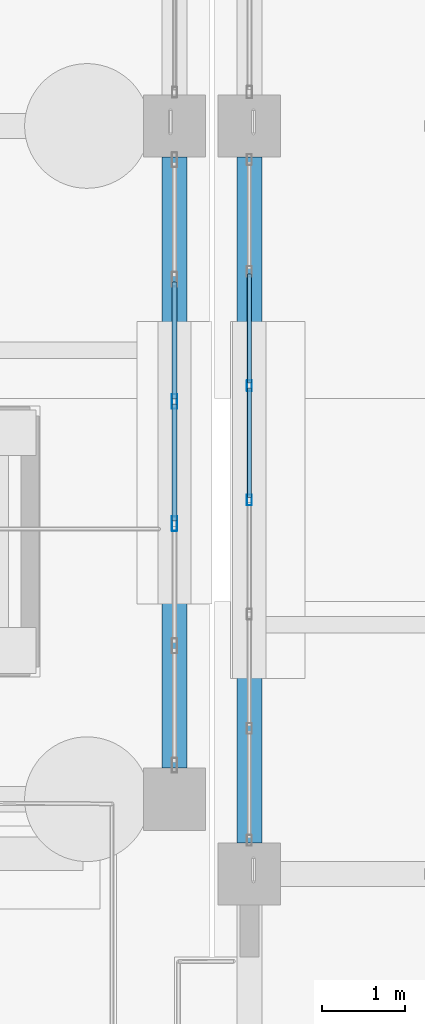
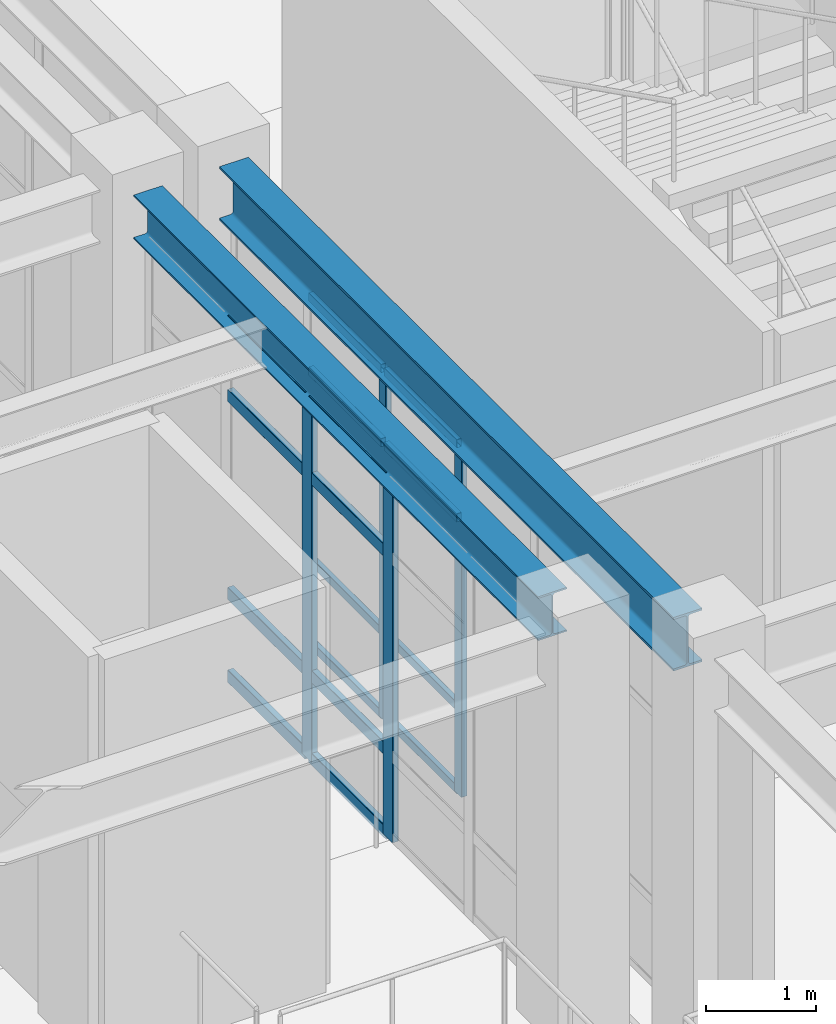
# One storey, part 67 of 139: 20 members, 2 beams, 2 elements without a shape of their own.
"""IFC4 building model written with IfcOpenShell, lengths in metres."""

from ifc_helpers import new_model, si_unit, direction, frame, origin, origin_2d, place, context, subcontext, project, spatial, hollow_rectangle, i_section, extrude, material, material_profile, profile_set, type_object, element, aggregate, save


model = new_model("IFC4")

# Units and contexts
model_context = context("Model", 3, precision=1e-05, world=origin(), true_north=direction((0.0, 1.0)))
body_context = subcontext(model_context, "Body", "Model", "MODEL_VIEW")
ifc_project = project(units=[si_unit("LENGTHUNIT", "METRE"), si_unit("AREAUNIT", "SQUARE_METRE"), si_unit("VOLUMEUNIT", "CUBIC_METRE"), si_unit("PLANEANGLEUNIT", "RADIAN"), si_unit("MASSUNIT", "GRAM", prefix="KILO")], contexts=[model_context])

# Site, building, storey
site_placement = place(None, origin())
site = spatial("IfcSite", under=ifc_project, at=site_placement, CompositionType="ELEMENT")
building_placement = place(site_placement, origin())
building = spatial("IfcBuilding", under=site, at=building_placement, Name="Canglan Escarpment Cableway Terminal", CompositionType="ELEMENT")
storey_placement = place(building_placement, frame((0.0, 0.0, 14.39990234375)))
storey = spatial("IfcBuildingStorey", under=building, at=storey_placement, Name="L03", CompositionType="ELEMENT", Elevation=14.39990234375)

# Beams
ifc_material_1 = material(Name="Steel Q355B", Category="steel")
ifc_material_profile_1 = material_profile(ifc_material_1, i_section(OverallWidth=0.300048828125, OverallDepth=0.488037109375, WebThickness=0.010986328125, FlangeThickness=0.01806640625, FilletRadius=0.02587890625, at=origin_2d()), Name="HM 488x300x11x18")
ifc_profile_set_1 = profile_set([ifc_material_profile_1], Name="Steel Q355B")
beam_type_1 = type_object("IfcBeamType", Name="BM-HM488", PredefinedType="BEAM", material=ifc_profile_set_1)
beam_1_placement = place(storey_placement, frame((136.699951171875, 89.27490234375, 4.256103515625), z_axis=(0.0, 1.0, 0.0), x_axis=(-1.0, 0.0, 0.0)))
element("IfcBeam", 1, at=beam_1_placement, inside=storey, type_object=beam_type_1, Name="Primary transverse girder B-09", PredefinedType="BEAM", context=body_context, shape_type="SweptSolid", body=[
    extrude(i_section(OverallWidth=0.300048828125, OverallDepth=0.488037109375, WebThickness=0.010986328125, FlangeThickness=0.01806640625, FilletRadius=0.02587890625, at=origin_2d()), origin(), (0.0, 0.0, 1.0), 7.35009765625),
])
ifc_material_2 = material(Name="Steel Q355C", Category="steel")
ifc_material_profile_2 = material_profile(ifc_material_2, i_section(OverallWidth=0.302001953125, OverallDepth=0.593994140625, WebThickness=0.013916015625, FlangeThickness=0.02294921875, FilletRadius=0.028076171875, at=origin_2d()), Name="HM 594x302x14x23")
ifc_profile_set_2 = profile_set([ifc_material_profile_2], Name="Steel Q355C")
beam_type_2 = type_object("IfcBeamType", Name="BM-HM594", PredefinedType="BEAM", material=ifc_profile_set_2)
beam_2_placement = place(storey_placement, frame((137.60009765625, 88.375, 4.203125), z_axis=(0.0, 1.0, 0.0), x_axis=(-1.0, 0.0, 0.0)))
element("IfcBeam", 2, at=beam_2_placement, inside=storey, type_object=beam_type_2, Name="Primary transverse girder B-07", PredefinedType="BEAM", context=body_context, shape_type="SweptSolid", body=[
    extrude(i_section(OverallWidth=0.302001953125, OverallDepth=0.593994140625, WebThickness=0.013916015625, FlangeThickness=0.02294921875, FilletRadius=0.028076171875, at=origin_2d()), origin(), (0.0, 0.0, 1.0), 8.25),
])

# Curtain wall, members
ifc_material_3 = material(Name="Anodized bronze aluminium and Low-E double glazing", Category="aluminium")
curtain_wall_type_1 = type_object("IfcCurtainWallType", Name="CW-BAY-8250x3900", PredefinedType="NOTDEFINED", material=ifc_material_3)
curtain_wall_1_placement = place(storey_placement, origin())
curtain_wall_1 = element("IfcCurtainWall", 3, at=curtain_wall_1_placement, inside=storey, type_object=curtain_wall_type_1, Name="Classical bay-between-piers glazed curtain wall CW-62", PredefinedType="NOTDEFINED")
ifc_material_4 = material(Name="Thermally broken anodized aluminium 6063-T6", Category="aluminium")
ifc_material_profile_3 = material_profile(ifc_material_4, hollow_rectangle(XDim=0.06005859375, YDim=0.1298828125, WallThickness=0.0029296875, InnerFilletRadius=0.0029296875, OuterFilletRadius=0.006103515625, at=origin_2d()), Name="ALU-MULL 60x130x3")
ifc_profile_set_3 = profile_set([ifc_material_profile_3], Name="Thermally broken anodized aluminium 6063-T6")
member_type_1 = type_object("IfcMemberType", Name="CWM-01", PredefinedType="MULLION", material=ifc_profile_set_3)
member_1_placement = place(storey_placement, frame((137.60009765625, 93.875, 0.0), z_axis=(0.0, 0.0, 1.0), x_axis=(1.0, 0.0, 0.0)))
member_1 = element("IfcMember", 4, at=member_1_placement, type_object=member_type_1, Name="CW-62 mullion 3", PredefinedType="MULLION", context=body_context, shape_type="SweptSolid", body=[
    extrude(hollow_rectangle(XDim=0.06005859375, YDim=0.1298828125, WallThickness=0.0029296875, InnerFilletRadius=0.0029296875, OuterFilletRadius=0.006103515625, at=origin_2d()), origin(), (0.0, 0.0, 1.0), 3.89111328125),
])
member_2_placement = place(storey_placement, frame((137.60009765625, 92.5, 0.0), z_axis=(0.0, 0.0, 1.0), x_axis=(1.0, 0.0, 0.0)))
member_2 = element("IfcMember", 5, at=member_2_placement, type_object=member_type_1, Name="CW-62 mullion 4", PredefinedType="MULLION", context=body_context, shape_type="SweptSolid", body=[
    extrude(hollow_rectangle(XDim=0.06005859375, YDim=0.1298828125, WallThickness=0.0029296875, InnerFilletRadius=0.0029296875, OuterFilletRadius=0.006103515625, at=origin_2d()), origin(), (0.0, 0.0, 1.0), 3.89111328125),
])

curtain_wall_type_2 = type_object("IfcCurtainWallType", Name="CW-BAY-7350x4000", PredefinedType="NOTDEFINED", material=ifc_material_3)
curtain_wall_2_placement = place(storey_placement, origin())
curtain_wall_2 = element("IfcCurtainWall", 6, at=curtain_wall_2_placement, inside=storey, type_object=curtain_wall_type_2, Name="Classical bay-between-piers glazed curtain wall CW-47", PredefinedType="NOTDEFINED")
ifc_material_profile_4 = material_profile(ifc_material_4, hollow_rectangle(XDim=0.06494140625, YDim=0.179931640625, WallThickness=0.00390625, InnerFilletRadius=0.00390625, OuterFilletRadius=0.008056640625, at=origin_2d()), Name="ALU-MULL 65x180x4")
ifc_profile_set_4 = profile_set([ifc_material_profile_4], Name="Thermally broken anodized aluminium 6063-T6")
member_type_2 = type_object("IfcMemberType", Name="CWM-03", PredefinedType="MULLION", material=ifc_profile_set_4)
member_3_placement = place(storey_placement, frame((136.699951171875, 92.215087890625, 0.0), z_axis=(0.0, 0.0, 1.0), x_axis=(-1.0, 0.0, 0.0)))
member_3 = element("IfcMember", 7, at=member_3_placement, type_object=member_type_2, Name="CW-47 mullion 3", PredefinedType="MULLION", context=body_context, shape_type="SweptSolid", body=[
    extrude(hollow_rectangle(XDim=0.06494140625, YDim=0.179931640625, WallThickness=0.00390625, InnerFilletRadius=0.00390625, OuterFilletRadius=0.008056640625, at=origin_2d()), origin(), (0.0, 0.0, 1.0), 3.9970703125),
])
member_4_placement = place(storey_placement, frame((136.699951171875, 93.68505859375, 0.0), z_axis=(0.0, 0.0, 1.0), x_axis=(-1.0, 0.0, 0.0)))
member_4 = element("IfcMember", 8, at=member_4_placement, type_object=member_type_2, Name="CW-47 mullion 4", PredefinedType="MULLION", context=body_context, shape_type="SweptSolid", body=[
    extrude(hollow_rectangle(XDim=0.06494140625, YDim=0.179931640625, WallThickness=0.00390625, InnerFilletRadius=0.00390625, OuterFilletRadius=0.008056640625, at=origin_2d()), origin(), (0.0, 0.0, 1.0), 3.9970703125),
])

# Member
ifc_material_profile_5 = material_profile(ifc_material_4, hollow_rectangle(XDim=0.054931640625, YDim=0.094970703125, WallThickness=0.0029296875, InnerFilletRadius=0.0029296875, OuterFilletRadius=0.006103515625, at=origin_2d()), Name="ALU-TRAN 55x95x3")
ifc_profile_set_5 = profile_set([ifc_material_profile_5], Name="Thermally broken anodized aluminium 6063-T6")
member_type_3 = type_object("IfcMemberType", Name="CWT-01", PredefinedType="USERDEFINED", material=ifc_profile_set_5)
member_5_placement = place(storey_placement, frame((137.60009765625, 95.219970703125, 0.027587890625), z_axis=(0.0, -1.0, 0.0), x_axis=(1.0, 0.0, 0.0)))
member_5 = element("IfcMember", 9, at=member_5_placement, type_object=member_type_3, Name="CW-62 transom 2.1", ObjectType="TRANSOM", PredefinedType="USERDEFINED", context=body_context, shape_type="SweptSolid", body=[
    extrude(hollow_rectangle(XDim=0.054931640625, YDim=0.094970703125, WallThickness=0.0029296875, InnerFilletRadius=0.0029296875, OuterFilletRadius=0.006103515625, at=origin_2d()), origin(), (0.0, 0.0, 1.0), 1.31494140625),
])

member_6_placement = place(storey_placement, frame((137.60009765625, 95.219970703125, 0.9501953125), z_axis=(0.0, -1.0, 0.0), x_axis=(1.0, 0.0, 0.0)))
member_6 = element("IfcMember", 10, at=member_6_placement, type_object=member_type_3, Name="CW-62 transom 2.2", ObjectType="TRANSOM", PredefinedType="USERDEFINED", context=body_context, shape_type="SweptSolid", body=[
    extrude(hollow_rectangle(XDim=0.054931640625, YDim=0.094970703125, WallThickness=0.0029296875, InnerFilletRadius=0.0029296875, OuterFilletRadius=0.006103515625, at=origin_2d()), origin(), (0.0, 0.0, 1.0), 1.31494140625),
])

member_7_placement = place(storey_placement, frame((137.60009765625, 95.219970703125, 3.041015625), z_axis=(0.0, -1.0, 0.0), x_axis=(1.0, 0.0, 0.0)))
member_7 = element("IfcMember", 11, at=member_7_placement, type_object=member_type_3, Name="CW-62 transom 2.3", ObjectType="TRANSOM", PredefinedType="USERDEFINED", context=body_context, shape_type="SweptSolid", body=[
    extrude(hollow_rectangle(XDim=0.054931640625, YDim=0.094970703125, WallThickness=0.0029296875, InnerFilletRadius=0.0029296875, OuterFilletRadius=0.006103515625, at=origin_2d()), origin(), (0.0, 0.0, 1.0), 1.31494140625),
])

member_8_placement = place(storey_placement, frame((137.60009765625, 95.219970703125, 3.863525390625), z_axis=(0.0, -1.0, 0.0), x_axis=(1.0, 0.0, 0.0)))
member_8 = element("IfcMember", 12, at=member_8_placement, type_object=member_type_3, Name="CW-62 transom 2.4", ObjectType="TRANSOM", PredefinedType="USERDEFINED", context=body_context, shape_type="SweptSolid", body=[
    extrude(hollow_rectangle(XDim=0.054931640625, YDim=0.094970703125, WallThickness=0.0029296875, InnerFilletRadius=0.0029296875, OuterFilletRadius=0.006103515625, at=origin_2d()), origin(), (0.0, 0.0, 1.0), 1.31494140625),
])

member_9_placement = place(storey_placement, frame((137.60009765625, 93.844970703125, 0.027587890625), z_axis=(0.0, -1.0, 0.0), x_axis=(1.0, 0.0, 0.0)))
member_9 = element("IfcMember", 13, at=member_9_placement, type_object=member_type_3, Name="CW-62 transom 3.1", ObjectType="TRANSOM", PredefinedType="USERDEFINED", context=body_context, shape_type="SweptSolid", body=[
    extrude(hollow_rectangle(XDim=0.054931640625, YDim=0.094970703125, WallThickness=0.0029296875, InnerFilletRadius=0.0029296875, OuterFilletRadius=0.006103515625, at=origin_2d()), origin(), (0.0, 0.0, 1.0), 1.31494140625),
])

member_10_placement = place(storey_placement, frame((137.60009765625, 93.844970703125, 0.9501953125), z_axis=(0.0, -1.0, 0.0), x_axis=(1.0, 0.0, 0.0)))
member_10 = element("IfcMember", 14, at=member_10_placement, type_object=member_type_3, Name="CW-62 transom 3.2", ObjectType="TRANSOM", PredefinedType="USERDEFINED", context=body_context, shape_type="SweptSolid", body=[
    extrude(hollow_rectangle(XDim=0.054931640625, YDim=0.094970703125, WallThickness=0.0029296875, InnerFilletRadius=0.0029296875, OuterFilletRadius=0.006103515625, at=origin_2d()), origin(), (0.0, 0.0, 1.0), 1.31494140625),
])

member_11_placement = place(storey_placement, frame((137.60009765625, 93.844970703125, 3.041015625), z_axis=(0.0, -1.0, 0.0), x_axis=(1.0, 0.0, 0.0)))
member_11 = element("IfcMember", 15, at=member_11_placement, type_object=member_type_3, Name="CW-62 transom 3.3", ObjectType="TRANSOM", PredefinedType="USERDEFINED", context=body_context, shape_type="SweptSolid", body=[
    extrude(hollow_rectangle(XDim=0.054931640625, YDim=0.094970703125, WallThickness=0.0029296875, InnerFilletRadius=0.0029296875, OuterFilletRadius=0.006103515625, at=origin_2d()), origin(), (0.0, 0.0, 1.0), 1.31494140625),
])

member_12_placement = place(storey_placement, frame((137.60009765625, 93.844970703125, 3.863525390625), z_axis=(0.0, -1.0, 0.0), x_axis=(1.0, 0.0, 0.0)))
member_12 = element("IfcMember", 16, at=member_12_placement, type_object=member_type_3, Name="CW-62 transom 3.4", ObjectType="TRANSOM", PredefinedType="USERDEFINED", context=body_context, shape_type="SweptSolid", body=[
    extrude(hollow_rectangle(XDim=0.054931640625, YDim=0.094970703125, WallThickness=0.0029296875, InnerFilletRadius=0.0029296875, OuterFilletRadius=0.006103515625, at=origin_2d()), origin(), (0.0, 0.0, 1.0), 1.31494140625),
])

aggregate(curtain_wall_1, [member_1, member_2, member_5, member_6, member_7, member_8, member_9, member_10, member_11, member_12])

ifc_material_profile_6 = material_profile(ifc_material_4, hollow_rectangle(XDim=0.06494140625, YDim=0.139892578125, WallThickness=0.00341796875, InnerFilletRadius=0.00341796875, OuterFilletRadius=0.007080078125, at=origin_2d()), Name="ALU-TRAN 65x140x3.5")
ifc_profile_set_6 = profile_set([ifc_material_profile_6], Name="Thermally broken anodized aluminium 6063-T6")
member_type_4 = type_object("IfcMemberType", Name="CWT-03", PredefinedType="USERDEFINED", material=ifc_profile_set_6)
member_13_placement = place(storey_placement, frame((136.699951171875, 92.24755859375, 0.03271484375), z_axis=(0.0, 1.0, 0.0), x_axis=(-1.0, 0.0, 0.0)))
member_13 = element("IfcMember", 17, at=member_13_placement, type_object=member_type_4, Name="CW-47 transom 3.1", ObjectType="TRANSOM", PredefinedType="USERDEFINED", context=body_context, shape_type="SweptSolid", body=[
    extrude(hollow_rectangle(XDim=0.06494140625, YDim=0.139892578125, WallThickness=0.00341796875, InnerFilletRadius=0.00341796875, OuterFilletRadius=0.007080078125, at=origin_2d()), origin(), (0.0, 0.0, 1.0), 1.405029296875),
])

member_14_placement = place(storey_placement, frame((136.699951171875, 92.24755859375, 0.9501953125), z_axis=(0.0, 1.0, 0.0), x_axis=(-1.0, 0.0, 0.0)))
member_14 = element("IfcMember", 18, at=member_14_placement, type_object=member_type_4, Name="CW-47 transom 3.2", ObjectType="TRANSOM", PredefinedType="USERDEFINED", context=body_context, shape_type="SweptSolid", body=[
    extrude(hollow_rectangle(XDim=0.06494140625, YDim=0.139892578125, WallThickness=0.00341796875, InnerFilletRadius=0.00341796875, OuterFilletRadius=0.007080078125, at=origin_2d()), origin(), (0.0, 0.0, 1.0), 1.405029296875),
])

member_15_placement = place(storey_placement, frame((136.699951171875, 92.24755859375, 3.147216796875), z_axis=(0.0, 1.0, 0.0), x_axis=(-1.0, 0.0, 0.0)))
member_15 = element("IfcMember", 19, at=member_15_placement, type_object=member_type_4, Name="CW-47 transom 3.3", ObjectType="TRANSOM", PredefinedType="USERDEFINED", context=body_context, shape_type="SweptSolid", body=[
    extrude(hollow_rectangle(XDim=0.06494140625, YDim=0.139892578125, WallThickness=0.00341796875, InnerFilletRadius=0.00341796875, OuterFilletRadius=0.007080078125, at=origin_2d()), origin(), (0.0, 0.0, 1.0), 1.405029296875),
])

member_16_placement = place(storey_placement, frame((136.699951171875, 92.24755859375, 3.964599609375), z_axis=(0.0, 1.0, 0.0), x_axis=(-1.0, 0.0, 0.0)))
member_16 = element("IfcMember", 20, at=member_16_placement, type_object=member_type_4, Name="CW-47 transom 3.4", ObjectType="TRANSOM", PredefinedType="USERDEFINED", context=body_context, shape_type="SweptSolid", body=[
    extrude(hollow_rectangle(XDim=0.06494140625, YDim=0.139892578125, WallThickness=0.00341796875, InnerFilletRadius=0.00341796875, OuterFilletRadius=0.007080078125, at=origin_2d()), origin(), (0.0, 0.0, 1.0), 1.405029296875),
])

member_17_placement = place(storey_placement, frame((136.699951171875, 93.717529296875, 0.03271484375), z_axis=(0.0, 1.0, 0.0), x_axis=(-1.0, 0.0, 0.0)))
member_17 = element("IfcMember", 21, at=member_17_placement, type_object=member_type_4, Name="CW-47 transom 4.1", ObjectType="TRANSOM", PredefinedType="USERDEFINED", context=body_context, shape_type="SweptSolid", body=[
    extrude(hollow_rectangle(XDim=0.06494140625, YDim=0.139892578125, WallThickness=0.00341796875, InnerFilletRadius=0.00341796875, OuterFilletRadius=0.007080078125, at=origin_2d()), origin(), (0.0, 0.0, 1.0), 1.405029296875),
])

member_18_placement = place(storey_placement, frame((136.699951171875, 93.717529296875, 0.9501953125), z_axis=(0.0, 1.0, 0.0), x_axis=(-1.0, 0.0, 0.0)))
member_18 = element("IfcMember", 22, at=member_18_placement, type_object=member_type_4, Name="CW-47 transom 4.2", ObjectType="TRANSOM", PredefinedType="USERDEFINED", context=body_context, shape_type="SweptSolid", body=[
    extrude(hollow_rectangle(XDim=0.06494140625, YDim=0.139892578125, WallThickness=0.00341796875, InnerFilletRadius=0.00341796875, OuterFilletRadius=0.007080078125, at=origin_2d()), origin(), (0.0, 0.0, 1.0), 1.405029296875),
])

member_19_placement = place(storey_placement, frame((136.699951171875, 93.717529296875, 3.147216796875), z_axis=(0.0, 1.0, 0.0), x_axis=(-1.0, 0.0, 0.0)))
member_19 = element("IfcMember", 23, at=member_19_placement, type_object=member_type_4, Name="CW-47 transom 4.3", ObjectType="TRANSOM", PredefinedType="USERDEFINED", context=body_context, shape_type="SweptSolid", body=[
    extrude(hollow_rectangle(XDim=0.06494140625, YDim=0.139892578125, WallThickness=0.00341796875, InnerFilletRadius=0.00341796875, OuterFilletRadius=0.007080078125, at=origin_2d()), origin(), (0.0, 0.0, 1.0), 1.405029296875),
])

member_20_placement = place(storey_placement, frame((136.699951171875, 93.717529296875, 3.964599609375), z_axis=(0.0, 1.0, 0.0), x_axis=(-1.0, 0.0, 0.0)))
member_20 = element("IfcMember", 24, at=member_20_placement, type_object=member_type_4, Name="CW-47 transom 4.4", ObjectType="TRANSOM", PredefinedType="USERDEFINED", context=body_context, shape_type="SweptSolid", body=[
    extrude(hollow_rectangle(XDim=0.06494140625, YDim=0.139892578125, WallThickness=0.00341796875, InnerFilletRadius=0.00341796875, OuterFilletRadius=0.007080078125, at=origin_2d()), origin(), (0.0, 0.0, 1.0), 1.405029296875),
])

aggregate(curtain_wall_2, [member_3, member_4, member_13, member_14, member_15, member_16, member_17, member_18, member_19, member_20])

save(model, "model.ifc")
